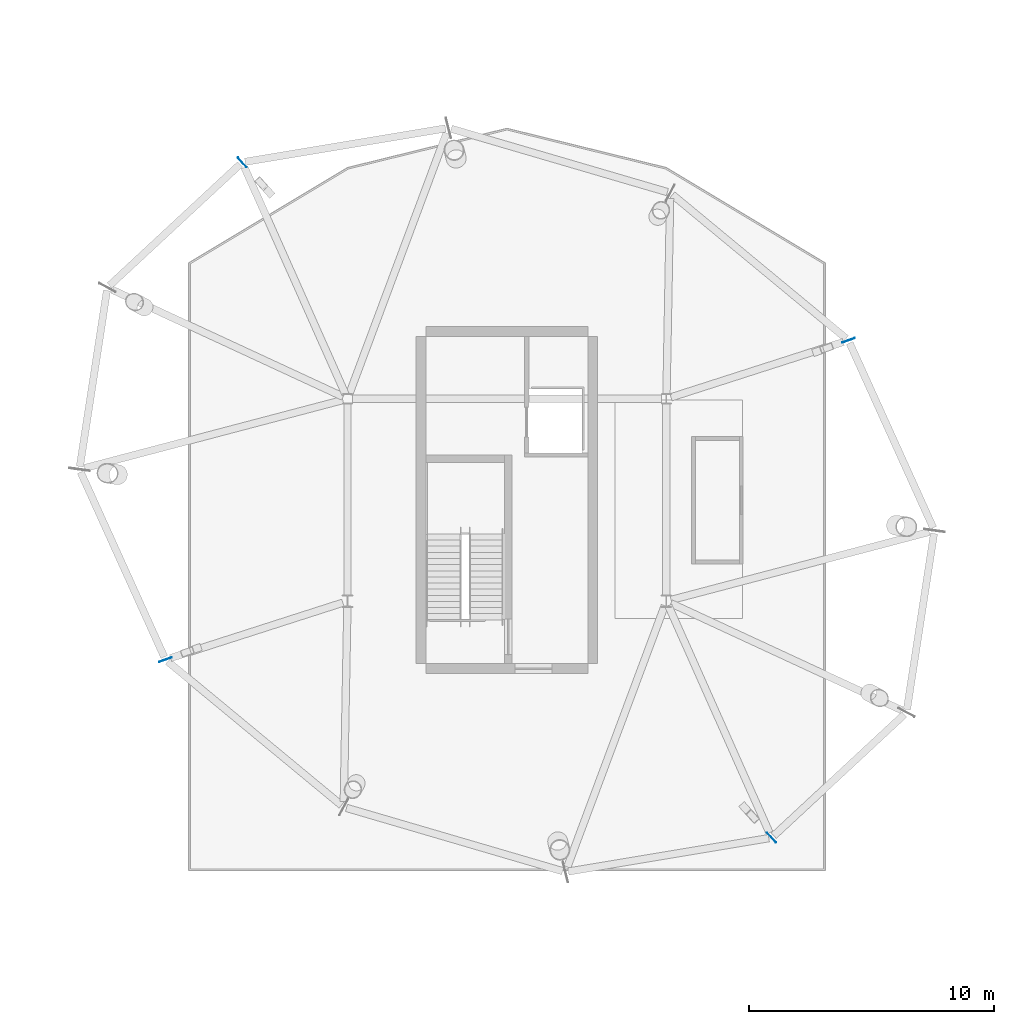
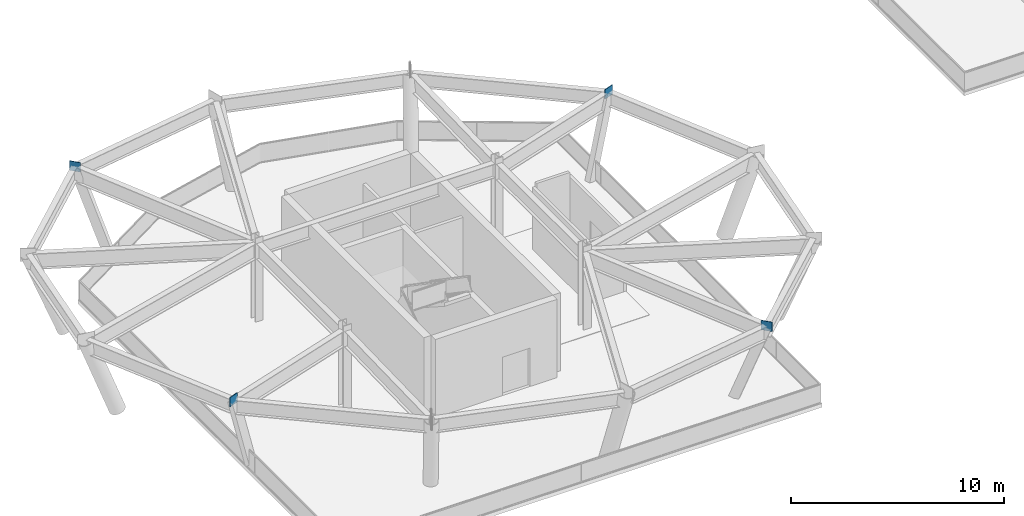
# One storey, part 61 of 91: 4 plates.
"""IFC4 building model written with IfcOpenShell, lengths in metres."""

from ifc_helpers import new_model, si_unit, direction, frame, origin, origin_2d, place, context, subcontext, project, spatial, rectangle, extrude, material, layer, layer_set, type_object, element, save


model = new_model("IFC4")

# Units and contexts
model_context = context("Model", 3, precision=1e-05, world=origin(), true_north=direction((0.0, 1.0)))
body_context = subcontext(model_context, "Body", "Model", "MODEL_VIEW")
ifc_project = project(units=[si_unit("LENGTHUNIT", "METRE"), si_unit("AREAUNIT", "SQUARE_METRE"), si_unit("VOLUMEUNIT", "CUBIC_METRE"), si_unit("PLANEANGLEUNIT", "RADIAN"), si_unit("MASSUNIT", "GRAM", prefix="KILO")], contexts=[model_context])

# Site, building, storey
site_placement = place(None, origin())
site = spatial("IfcSite", under=ifc_project, at=site_placement, CompositionType="ELEMENT")
building_placement = place(site_placement, origin())
building = spatial("IfcBuilding", under=site, at=building_placement, Name="Linyun Crest Stadium", CompositionType="ELEMENT")
storey_placement = place(building_placement, frame((0.0, 0.0, 11.39990234375)))
storey = spatial("IfcBuildingStorey", under=building, at=storey_placement, Name="L03", CompositionType="ELEMENT", Elevation=11.39990234375)

# Plates
ifc_material = material(Name="Steel Q420C", Category="steel")
ifc_layer = layer(ifc_material, 0.028076171875)
ifc_layer_set = layer_set([ifc_layer], Name="Steel Q420C")
plate_type = type_object("IfcPlateType", Name="EP03", PredefinedType="USERDEFINED", material=ifc_layer_set)
for number, where, z_axis, x_axis, name in (
    (1, (-59.580078125, 91.133056640625, 4.135009765625), (0.0, 0.0, 1.0), (0.941352819014, 0.337423873096, 0.0), "Hollow section cap end plate EP03 352"),
    (2, (-84.291015625, 98.39111328125, 4.1201171875), (0.0, 0.0, 1.0), (-0.667702638429, 0.744428093663, 0.0), "Hollow section cap end plate EP03 367"),
    (3, (-87.419921875, 78.116943359375, 4.135009765625), (0.0, 0.0, 1.0), (-0.941352819014, -0.337423873096, 0.0), "Hollow section cap end plate EP03 382"),
    (4, (-62.708984375, 70.85888671875, 4.1201171875), (0.0, 0.0, 1.0), (0.667702638429, -0.744428093663, 0.0), "Hollow section cap end plate EP03 397"),
):
    element("IfcPlate", number, at=place(storey_placement, frame(where, z_axis=z_axis, x_axis=x_axis)), inside=storey, type_object=plate_type, Name=name, ObjectType="END PLATE", PredefinedType="USERDEFINED", context=body_context, shape_type="SweptSolid", body=[
        extrude(rectangle(XDim=0.5400390625, YDim=0.028076171875, at=origin_2d()), origin(), (0.0, 0.0, 1.0), 0.5400390625),
    ])

save(model, "model.ifc")
